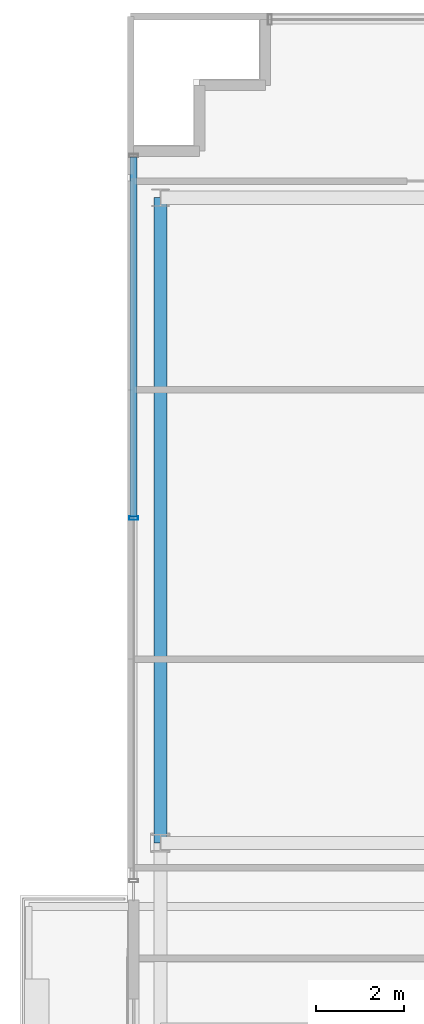
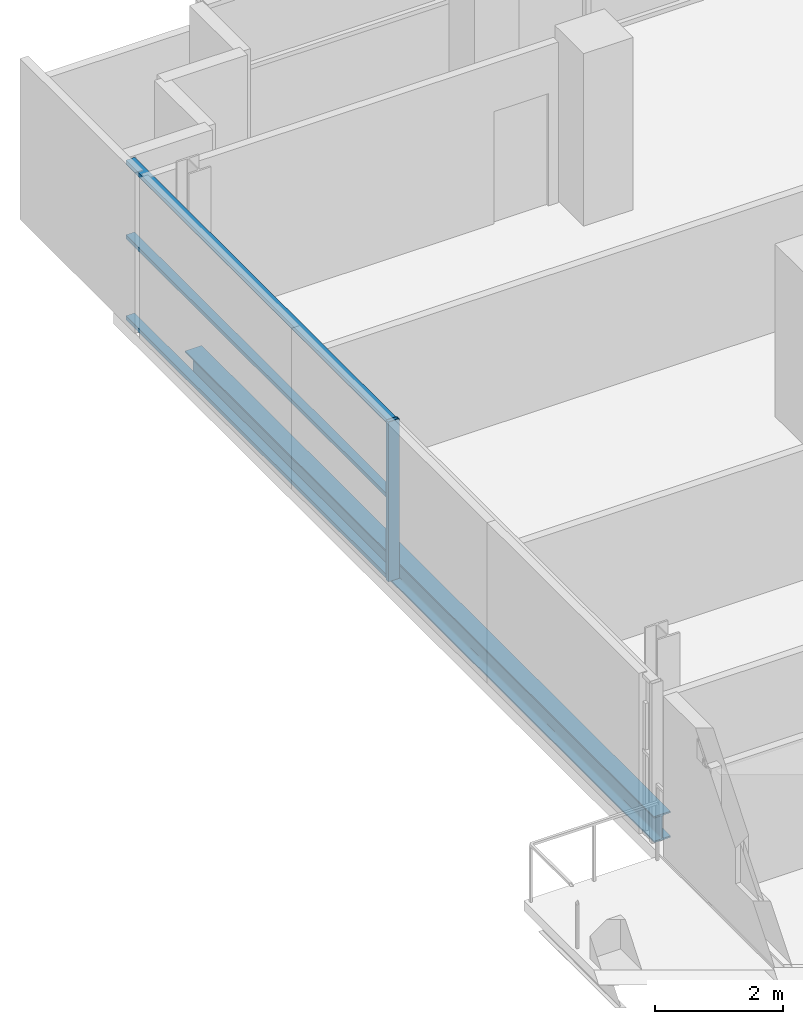
# One storey, part 8 of 28: 4 members, 1 beam, 1 element without a shape of its own.
"""IFC4 building model written with IfcOpenShell, lengths in metres."""

import ifcopenshell
import ifcopenshell.guid

model = None  # the IFC model being written
_history = None  # IfcOwnerHistory: only IFC2X3 demands one
_inside = {}  # id of a spatial element -> (the spatial element, [elements in it])
_under = {}  # id of a project, library or spatial element -> (it, [spatial elements below it])
_declared = {}  # id of a project -> (the project, [libraries it declares])
_typed = {}  # id of a type object -> (the type object, [elements of that type])
_made_of = {}  # id of a material, layer set ... -> (it, [elements and type objects made of it])


def new_model(schema):
    """Start an empty IFC model of exactly this schema.

    Asked for "IFC4X3", IfcOpenShell would pick the latest addendum, in which some entities
    have other attributes; the version numbers below select the first issue.
    IFC2X3 requires an IfcOwnerHistory on every rooted entity: one is made here for all.
    """
    global model, _history
    if schema == "IFC4X3":
        model = ifcopenshell.file(schema_version=(4, 3, 0, 0))
    else:
        model = ifcopenshell.file(schema=schema)
    _inside.clear()
    _under.clear()
    _declared.clear()
    _typed.clear()
    _made_of.clear()
    _history = None
    if model.schema == "IFC2X3":
        org = make("IfcOrganization", Name="unknown")
        user = make(
            "IfcPersonAndOrganization",
            ThePerson=make("IfcPerson", FamilyName="unknown"),
            TheOrganization=org,
        )
        app = make(
            "IfcApplication",
            ApplicationDeveloper=org,
            Version="unknown",
            ApplicationFullName="unknown",
            ApplicationIdentifier="unknown",
        )
        _history = make(
            "IfcOwnerHistory",
            OwningUser=user,
            OwningApplication=app,
            ChangeAction="ADDED",
            CreationDate=0,
        )
    return model


def make(cls, **values):
    """One entity of the class cls with the attributes given. An attribute that is None is left unset."""
    return model.create_entity(
        cls, **{name: value for name, value in values.items() if value is not None}
    )


def rooted(cls, **values):
    """An entity with a GlobalId (a new one), such as an element, a storey or a relation."""
    return make(cls, GlobalId=ifcopenshell.guid.new(), OwnerHistory=_history, **values)


def si_unit(unit_type, name, prefix=None):
    """IfcSIUnit, for example si_unit("LENGTHUNIT", "METRE", prefix="MILLI")."""
    return make("IfcSIUnit", UnitType=unit_type, Prefix=prefix, Name=name)


def assignment(units):
    """IfcUnitAssignment: the units of a project."""
    return None if units is None else make("IfcUnitAssignment", Units=units)


def point(xyz):
    """IfcCartesianPoint."""
    return None if xyz is None else make("IfcCartesianPoint", Coordinates=xyz)


def direction(xyz):
    """IfcDirection."""
    return None if xyz is None else make("IfcDirection", DirectionRatios=xyz)


def frame(location, z_axis=None, x_axis=None):
    """IfcAxis2Placement3D, a coordinate frame: its origin and axes. An axis left out is left unset."""
    return make(
        "IfcAxis2Placement3D",
        Location=point(location),
        Axis=direction(z_axis),
        RefDirection=direction(x_axis),
    )


def frame_2d(location, x_axis=None):
    """IfcAxis2Placement2D, a coordinate frame in the plane: its origin and x axis."""
    return make(
        "IfcAxis2Placement2D", Location=point(location), RefDirection=direction(x_axis)
    )


def origin():
    """The frame at (0, 0, 0) with its axes left unset."""
    return frame((0.0, 0.0, 0.0))


def origin_2d():
    """The frame at (0, 0) in the plane with its x axis left unset."""
    return frame_2d((0.0, 0.0))


def place(relative_to, where):
    """IfcLocalPlacement: puts the frame where relative to a parent placement (None: the world)."""
    return make(
        "IfcLocalPlacement", PlacementRelTo=relative_to, RelativePlacement=where
    )


def context(
    kind, dimensions, precision=None, world=None, true_north=None, identifier=None
):
    """IfcGeometricRepresentationContext, for example the 3D "Model" context."""
    return make(
        "IfcGeometricRepresentationContext",
        ContextIdentifier=identifier,
        ContextType=kind,
        CoordinateSpaceDimension=dimensions,
        Precision=precision,
        WorldCoordinateSystem=world,
        TrueNorth=true_north,
    )


def subcontext(parent, identifier, kind, view, scale=None):
    """IfcGeometricRepresentationSubContext, for example "Body" below "Model"."""
    return make(
        "IfcGeometricRepresentationSubContext",
        ContextIdentifier=identifier,
        ContextType=kind,
        ParentContext=parent,
        TargetScale=scale,
        TargetView=view,
    )


def project(units=None, contexts=None):
    """IfcProject with its units and contexts."""
    return rooted(
        "IfcProject",
        Name="project",
        RepresentationContexts=contexts,
        UnitsInContext=assignment(units),
    )


def spatial(cls, under=None, at=None, **own):
    """A site, building, storey or space (cls), placed at a placement, below another one or the project."""
    s = rooted(cls, ObjectPlacement=at, **own)
    if under is not None:
        _under.setdefault(under.id(), (under, []))[1].append(s)
    return s


def profile(cls, at=None, kind="AREA", **sizes):
    """A parametric profile (cls). Its sizes go by their IFC names, for example OverallWidth=200.0."""
    return make(cls, ProfileType=kind, Position=at, **sizes)


def hollow_rectangle(**sizes):
    """IfcRectangleHollowProfileDef."""
    return profile("IfcRectangleHollowProfileDef", **sizes)


def i_section(**sizes):
    """IfcIShapeProfileDef."""
    return profile("IfcIShapeProfileDef", **sizes)


def extrude(swept, where, along, depth):
    """IfcExtrudedAreaSolid: the profile swept, set in the frame where, extruded along a direction by depth."""
    return make(
        "IfcExtrudedAreaSolid",
        SweptArea=swept,
        Position=where,
        ExtrudedDirection=direction(along),
        Depth=depth,
    )


def shape(context_of_items, identifier, shape_type, items):
    """IfcShapeRepresentation: the items that make up one representation, for example the "Body"."""
    return make(
        "IfcShapeRepresentation",
        ContextOfItems=context_of_items,
        RepresentationIdentifier=identifier,
        RepresentationType=shape_type,
        Items=items,
    )


def source(mapping_origin, context_of_items, identifier, shape_type, items):
    """IfcRepresentationMap: a shape defined once, which mapped items show again and again."""
    return make(
        "IfcRepresentationMap",
        MappingOrigin=mapping_origin,
        MappedRepresentation=shape(context_of_items, identifier, shape_type, items),
    )


def transform(
    local_origin,
    x_axis=None,
    y_axis=None,
    z_axis=None,
    scale=None,
    scale2=None,
    scale3=None,
    uniform=True,
):
    """IfcCartesianTransformationOperator3D, or its non-uniform kind. x_axis, y_axis, z_axis: its Axis1, 2, 3."""
    if uniform:
        return make(
            "IfcCartesianTransformationOperator3D",
            Axis1=direction(x_axis),
            Axis2=direction(y_axis),
            LocalOrigin=point(local_origin),
            Scale=scale,
            Axis3=direction(z_axis),
        )
    return make(
        "IfcCartesianTransformationOperator3DnonUniform",
        Axis1=direction(x_axis),
        Axis2=direction(y_axis),
        LocalOrigin=point(local_origin),
        Scale=scale,
        Axis3=direction(z_axis),
        Scale2=scale2,
        Scale3=scale3,
    )


def mapped(mapping_source, mapping_target):
    """IfcMappedItem: shows the shape of a source again, moved by a transform."""
    return make(
        "IfcMappedItem", MappingSource=mapping_source, MappingTarget=mapping_target
    )


def material(Name=None, Category=None):
    """IfcMaterial."""
    return make("IfcMaterial", Name=Name, Category=Category)


def layer(
    of_material, thickness, ventilated=None, Name=None, Category=None, Priority=None
):
    """IfcMaterialLayer: one layer of a wall or slab, of a material (None: an air gap)."""
    return make(
        "IfcMaterialLayer",
        Material=of_material,
        LayerThickness=thickness,
        IsVentilated=ventilated,
        Name=Name,
        Category=Category,
        Priority=Priority,
    )


def layer_set(layers, Name=None):
    """IfcMaterialLayerSet."""
    return make("IfcMaterialLayerSet", MaterialLayers=layers, LayerSetName=Name)


def material_profile(
    of_material, cross_section, Name=None, Category=None, Priority=None
):
    """IfcMaterialProfile: a cross section and its material."""
    return make(
        "IfcMaterialProfile",
        Name=Name,
        Material=of_material,
        Profile=cross_section,
        Priority=Priority,
        Category=Category,
    )


def profile_set(profiles, Name=None, composite=None):
    """IfcMaterialProfileSet."""
    return make(
        "IfcMaterialProfileSet",
        Name=Name,
        MaterialProfiles=profiles,
        CompositeProfile=composite,
    )


def made_of(thing, what):
    """Note that an element or type object is made of a material, layer set ...; save() writes the relation."""
    if what is not None:
        _made_of.setdefault(what.id(), (what, []))[1].append(thing)
    return thing


def type_object(cls, material=None, **own):
    """A type object (cls), such as IfcWallType, which elements share."""
    return made_of(rooted(cls, **own), material)


def element(
    cls,
    number,
    at=None,
    inside=None,
    cuts=None,
    type_object=None,
    material=None,
    context=None,
    identifier="Body",
    shape_type=None,
    held_by="IfcProductDefinitionShape",
    body=None,
    shapes=None,
    **own,
):
    """One element of the class cls, such as IfcWall. Its Tag is "e" and its number.

    at: its placement. inside: the storey or other place that contains it. cuts: it is an
    opening in that element (IfcRelVoidsElement). A single representation is given by context,
    identifier, shape_type and body (its items); several are given by shapes. held_by: the class
    of the entity that holds the representations. save() writes the other relations.
    """
    e = rooted(cls, Tag="e%d" % number, ObjectPlacement=at, **own)
    if body is not None:
        shapes = [shape(context, identifier, shape_type, body)]
    if shapes is not None:
        e.Representation = make(held_by, Representations=shapes)
    if inside is not None:
        _inside.setdefault(inside.id(), (inside, []))[1].append(e)
    if cuts is not None:
        rooted(
            "IfcRelVoidsElement", RelatingBuildingElement=cuts, RelatedOpeningElement=e
        )
    if type_object is not None:
        _typed.setdefault(type_object.id(), (type_object, []))[1].append(e)
    return made_of(e, material)


def aggregate(whole, parts):
    """IfcRelAggregates: a whole, such as a stair, and the parts it consists of."""
    return rooted("IfcRelAggregates", RelatingObject=whole, RelatedObjects=parts)


def save(model, path):
    """Write the relations noted so far, then the file.

    IfcRelAggregates (storeys below a building ...), IfcRelContainedInSpatialStructure (elements
    in a storey), IfcRelDefinesByType, IfcRelAssociatesMaterial and IfcRelDeclares: one each for
    every whole, place, type object, material and project.
    """
    for whole, parts in _under.values():
        aggregate(whole, parts)
    for where, things in _inside.values():
        rooted(
            "IfcRelContainedInSpatialStructure",
            RelatedElements=things,
            RelatingStructure=where,
        )
    for kind, things in _typed.values():
        rooted("IfcRelDefinesByType", RelatedObjects=things, RelatingType=kind)
    for what, things in _made_of.values():
        rooted("IfcRelAssociatesMaterial", RelatedObjects=things, RelatingMaterial=what)
    for by, libraries in _declared.values():
        rooted("IfcRelDeclares", RelatingContext=by, RelatedDefinitions=libraries)
    model.write(path)


model = new_model("IFC4")

# Units and contexts
model_context = context("Model", 3, precision=1e-05, world=origin(), true_north=direction((0.0, 1.0)))
body_context = subcontext(model_context, "Body", "Model", "MODEL_VIEW")
ifc_project = project(units=[si_unit("LENGTHUNIT", "METRE"), si_unit("AREAUNIT", "SQUARE_METRE"), si_unit("VOLUMEUNIT", "CUBIC_METRE"), si_unit("PLANEANGLEUNIT", "RADIAN"), si_unit("MASSUNIT", "GRAM", prefix="KILO")], contexts=[model_context])

# Site, building, storey
site_placement = place(None, origin())
site = spatial("IfcSite", under=ifc_project, at=site_placement, CompositionType="ELEMENT")
building_placement = place(site_placement, origin())
building = spatial("IfcBuilding", under=site, at=building_placement, Name="Zarnakvel Exchange Tower", CompositionType="ELEMENT")
storey_placement = place(building_placement, frame((0.0, 0.0, 109.89990234375)))
storey = spatial("IfcBuildingStorey", under=building, at=storey_placement, Name="L30", CompositionType="ELEMENT", Elevation=109.89990234375)

# Beam
ifc_material_1 = material(Name="Steel S355", Category="steel")
ifc_material_profile_1 = material_profile(ifc_material_1, i_section(OverallWidth=0.300048828125, OverallDepth=0.5, WebThickness=0.014404296875, FlangeThickness=0.028076171875, FilletRadius=0.027099609375, at=origin_2d()))
ifc_profile_set_1 = profile_set([ifc_material_profile_1], Name="Steel S355")
beam_type = type_object("IfcBeamType", Name="SP-02", PredefinedType="SPANDREL", material=ifc_profile_set_1)
beam_placement = place(storey_placement, frame((-28.85009765625, -1.199951171875, -0.474853515625), z_axis=(0.0, 1.0, 0.0), x_axis=(-1.0, 0.0, 0.0)))
element("IfcBeam", 1, at=beam_placement, inside=storey, type_object=beam_type, Name="L30 Tower N-S Frame Beam", PredefinedType="SPANDREL", context=body_context, shape_type="SweptSolid", body=[
    extrude(i_section(OverallWidth=0.300048828125, OverallDepth=0.5, WebThickness=0.014404296875, FlangeThickness=0.028076171875, FilletRadius=0.027099609375, at=origin_2d()), origin(), (0.0, 0.0, 1.0), 14.699951171875),
])

# Curtain wall, members
ifc_material_2 = material(Name="Architectural Bronze Anodised Aluminium", Category="aluminium")
ifc_layer = layer(ifc_material_2, 0.199951171875)
ifc_layer_set = layer_set([ifc_layer], Name="Architectural Bronze Anodised Aluminium")
curtain_wall_type = type_object("IfcCurtainWallType", Name="CW-04", PredefinedType="NOTDEFINED", material=ifc_layer_set)
curtain_wall_placement = place(storey_placement, origin())
curtain_wall = element("IfcCurtainWall", 2, at=curtain_wall_placement, inside=storey, type_object=curtain_wall_type, Name="L30 Curtain Wall CW-L30-WN (CW-04)", PredefinedType="NOTDEFINED")
ifc_material_profile_2 = material_profile(ifc_material_2, hollow_rectangle(XDim=0.199951171875, YDim=0.074951171875, WallThickness=0.0048828125, at=origin_2d()))
ifc_profile_set_2 = profile_set([ifc_material_profile_2], Name="Architectural Bronze Anodised Aluminium")
member_type_1 = type_object("IfcMemberType", Name="CWM-04", PredefinedType="MULLION", material=ifc_profile_set_2)
shared_shape_1 = source(origin(), body_context, "Body", "SweptSolid", [
    extrude(hollow_rectangle(XDim=0.199951171875, YDim=0.074951171875, WallThickness=0.0048828125, at=origin_2d()), origin(), (0.0, 0.0, 1.0), 3.05517578125),
])
member_1_placement = place(storey_placement, frame((-29.4599609375, 6.199951171875, 0.0), z_axis=(0.0, 0.0, 1.0), x_axis=(-1.0, 0.0, 0.0)))
member_1 = element("IfcMember", 3, at=member_1_placement, type_object=member_type_1, Name="CW-04 mullion 2", PredefinedType="MULLION", context=body_context, shape_type="MappedRepresentation", body=[
    mapped(shared_shape_1, transform((0.0, 0.0, 0.0), x_axis=(1.0, 0.0, 0.0), y_axis=(0.0, 1.0, 0.0), z_axis=(0.0, 0.0, 1.0), scale=1.0)),
])
ifc_material_profile_3 = material_profile(ifc_material_2, hollow_rectangle(XDim=0.159912109375, YDim=0.074951171875, WallThickness=0.00390625, at=origin_2d()))
ifc_profile_set_3 = profile_set([ifc_material_profile_3], Name="Architectural Bronze Anodised Aluminium")
member_type_2 = type_object("IfcMemberType", Name="CWT-04", PredefinedType="USERDEFINED", material=ifc_profile_set_3)
shared_shape_2 = source(origin(), body_context, "Body", "SweptSolid", [
    extrude(hollow_rectangle(XDim=0.159912109375, YDim=0.074951171875, WallThickness=0.00390625, at=origin_2d()), origin(), (0.0, 0.0, 1.0), 8.1875),
])
member_2_placement = place(storey_placement, frame((-29.4599609375, 6.237548828125, 0.03759765625), z_axis=(0.0, 1.0, 0.0), x_axis=(-1.0, 0.0, 0.0)))
member_2 = element("IfcMember", 4, at=member_2_placement, type_object=member_type_2, Name="CW-04 transom 2.1", ObjectType="TRANSOM", PredefinedType="USERDEFINED", context=body_context, shape_type="MappedRepresentation", body=[
    mapped(shared_shape_2, transform((0.0, 0.0, 0.0), x_axis=(1.0, 0.0, 0.0), y_axis=(0.0, 1.0, 0.0), z_axis=(0.0, 0.0, 1.0), scale=1.0)),
])
member_3_placement = place(storey_placement, frame((-29.4599609375, 6.237548828125, 1.588623046875), z_axis=(0.0, 1.0, 0.0), x_axis=(-1.0, 0.0, 0.0)))
member_3 = element("IfcMember", 5, at=member_3_placement, type_object=member_type_2, Name="CW-04 transom 2.2", ObjectType="TRANSOM", PredefinedType="USERDEFINED", context=body_context, shape_type="MappedRepresentation", body=[
    mapped(shared_shape_2, transform((0.0, 0.0, 0.0), x_axis=(1.0, 0.0, 0.0), y_axis=(0.0, 1.0, 0.0), z_axis=(0.0, 0.0, 1.0), scale=1.0)),
])
member_4_placement = place(storey_placement, frame((-29.4599609375, 6.237548828125, 3.017578125), z_axis=(0.0, 1.0, 0.0), x_axis=(-1.0, 0.0, 0.0)))
member_4 = element("IfcMember", 6, at=member_4_placement, type_object=member_type_2, Name="CW-04 transom 2.3", ObjectType="TRANSOM", PredefinedType="USERDEFINED", context=body_context, shape_type="MappedRepresentation", body=[
    mapped(shared_shape_2, transform((0.0, 0.0, 0.0), x_axis=(1.0, 0.0, 0.0), y_axis=(0.0, 1.0, 0.0), z_axis=(0.0, 0.0, 1.0), scale=1.0)),
])
aggregate(curtain_wall, [member_1, member_2, member_3, member_4])

save(model, "model.ifc")
